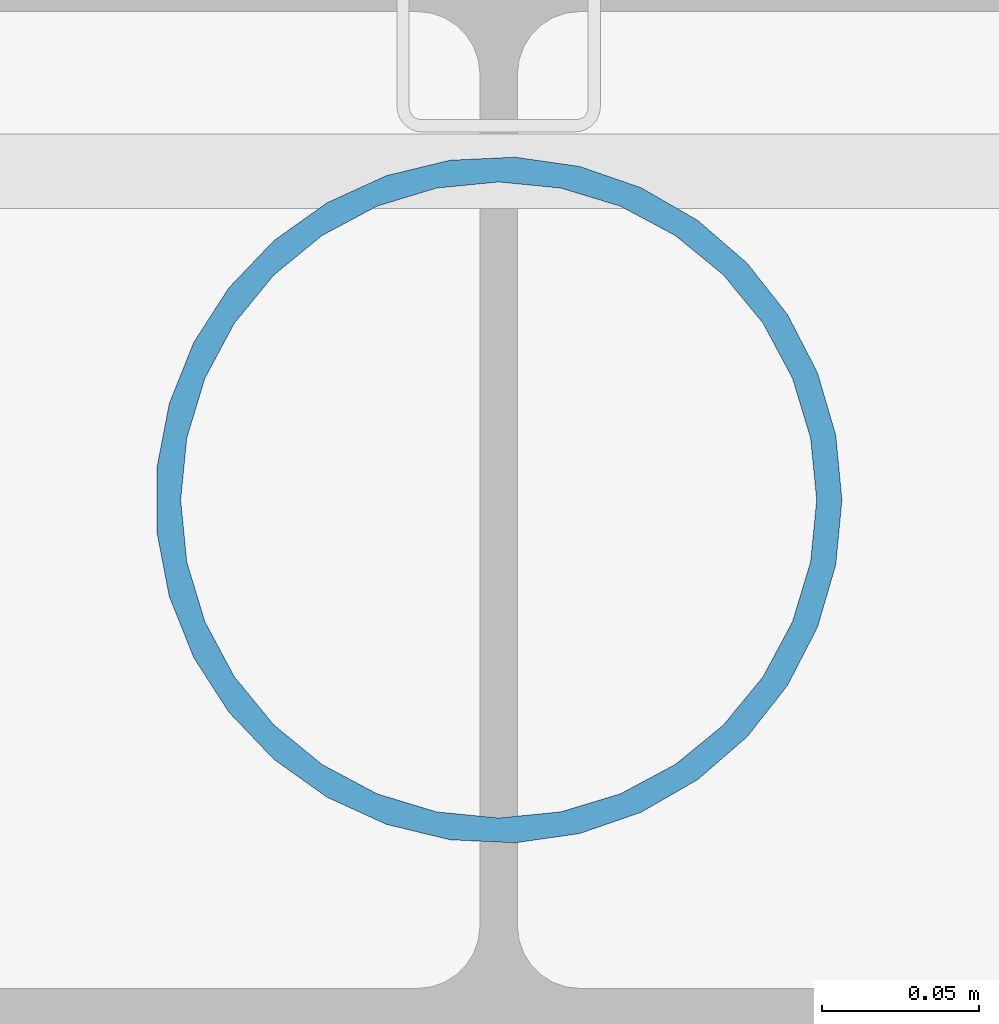
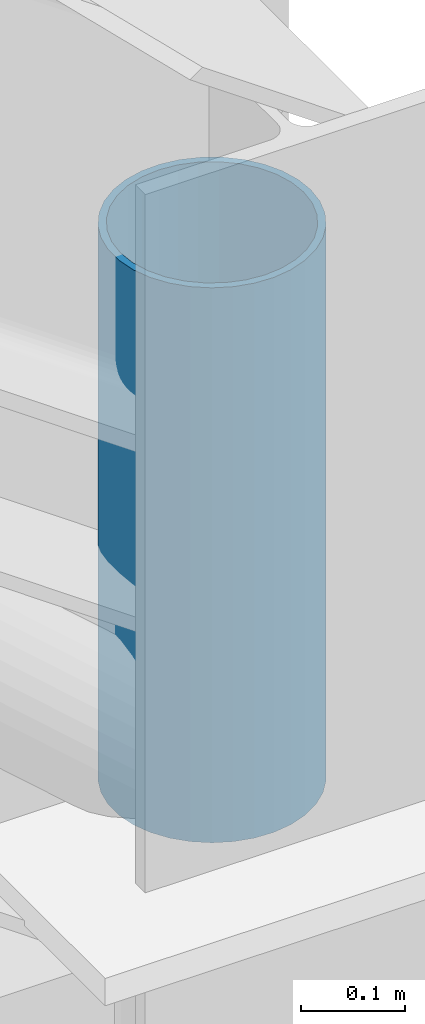
# One storey, part 85 of 121: 1 member.
"""IFC4 building model written with IfcOpenShell, lengths in metres."""

import ifcopenshell
import ifcopenshell.guid

model = None  # the IFC model being written
_history = None  # IfcOwnerHistory: only IFC2X3 demands one
_inside = {}  # id of a spatial element -> (the spatial element, [elements in it])
_under = {}  # id of a project, library or spatial element -> (it, [spatial elements below it])
_declared = {}  # id of a project -> (the project, [libraries it declares])
_typed = {}  # id of a type object -> (the type object, [elements of that type])
_made_of = {}  # id of a material, layer set ... -> (it, [elements and type objects made of it])


def new_model(schema):
    """Start an empty IFC model of exactly this schema.

    Asked for "IFC4X3", IfcOpenShell would pick the latest addendum, in which some entities
    have other attributes; the version numbers below select the first issue.
    IFC2X3 requires an IfcOwnerHistory on every rooted entity: one is made here for all.
    """
    global model, _history
    if schema == "IFC4X3":
        model = ifcopenshell.file(schema_version=(4, 3, 0, 0))
    else:
        model = ifcopenshell.file(schema=schema)
    _inside.clear()
    _under.clear()
    _declared.clear()
    _typed.clear()
    _made_of.clear()
    _history = None
    if model.schema == "IFC2X3":
        org = make("IfcOrganization", Name="unknown")
        user = make(
            "IfcPersonAndOrganization",
            ThePerson=make("IfcPerson", FamilyName="unknown"),
            TheOrganization=org,
        )
        app = make(
            "IfcApplication",
            ApplicationDeveloper=org,
            Version="unknown",
            ApplicationFullName="unknown",
            ApplicationIdentifier="unknown",
        )
        _history = make(
            "IfcOwnerHistory",
            OwningUser=user,
            OwningApplication=app,
            ChangeAction="ADDED",
            CreationDate=0,
        )
    return model


def make(cls, **values):
    """One entity of the class cls with the attributes given. An attribute that is None is left unset."""
    return model.create_entity(
        cls, **{name: value for name, value in values.items() if value is not None}
    )


def rooted(cls, **values):
    """An entity with a GlobalId (a new one), such as an element, a storey or a relation."""
    return make(cls, GlobalId=ifcopenshell.guid.new(), OwnerHistory=_history, **values)


def si_unit(unit_type, name, prefix=None):
    """IfcSIUnit, for example si_unit("LENGTHUNIT", "METRE", prefix="MILLI")."""
    return make("IfcSIUnit", UnitType=unit_type, Prefix=prefix, Name=name)


def assignment(units):
    """IfcUnitAssignment: the units of a project."""
    return None if units is None else make("IfcUnitAssignment", Units=units)


def point(xyz):
    """IfcCartesianPoint."""
    return None if xyz is None else make("IfcCartesianPoint", Coordinates=xyz)


def direction(xyz):
    """IfcDirection."""
    return None if xyz is None else make("IfcDirection", DirectionRatios=xyz)


def frame(location, z_axis=None, x_axis=None):
    """IfcAxis2Placement3D, a coordinate frame: its origin and axes. An axis left out is left unset."""
    return make(
        "IfcAxis2Placement3D",
        Location=point(location),
        Axis=direction(z_axis),
        RefDirection=direction(x_axis),
    )


def frame_2d(location, x_axis=None):
    """IfcAxis2Placement2D, a coordinate frame in the plane: its origin and x axis."""
    return make(
        "IfcAxis2Placement2D", Location=point(location), RefDirection=direction(x_axis)
    )


def origin():
    """The frame at (0, 0, 0) with its axes left unset."""
    return frame((0.0, 0.0, 0.0))


def origin_2d():
    """The frame at (0, 0) in the plane with its x axis left unset."""
    return frame_2d((0.0, 0.0))


def place(relative_to, where):
    """IfcLocalPlacement: puts the frame where relative to a parent placement (None: the world)."""
    return make(
        "IfcLocalPlacement", PlacementRelTo=relative_to, RelativePlacement=where
    )


def context(
    kind, dimensions, precision=None, world=None, true_north=None, identifier=None
):
    """IfcGeometricRepresentationContext, for example the 3D "Model" context."""
    return make(
        "IfcGeometricRepresentationContext",
        ContextIdentifier=identifier,
        ContextType=kind,
        CoordinateSpaceDimension=dimensions,
        Precision=precision,
        WorldCoordinateSystem=world,
        TrueNorth=true_north,
    )


def subcontext(parent, identifier, kind, view, scale=None):
    """IfcGeometricRepresentationSubContext, for example "Body" below "Model"."""
    return make(
        "IfcGeometricRepresentationSubContext",
        ContextIdentifier=identifier,
        ContextType=kind,
        ParentContext=parent,
        TargetScale=scale,
        TargetView=view,
    )


def project(units=None, contexts=None):
    """IfcProject with its units and contexts."""
    return rooted(
        "IfcProject",
        Name="project",
        RepresentationContexts=contexts,
        UnitsInContext=assignment(units),
    )


def spatial(cls, under=None, at=None, **own):
    """A site, building, storey or space (cls), placed at a placement, below another one or the project."""
    s = rooted(cls, ObjectPlacement=at, **own)
    if under is not None:
        _under.setdefault(under.id(), (under, []))[1].append(s)
    return s


def profile(cls, at=None, kind="AREA", **sizes):
    """A parametric profile (cls). Its sizes go by their IFC names, for example OverallWidth=200.0."""
    return make(cls, ProfileType=kind, Position=at, **sizes)


def hollow_circle(**sizes):
    """IfcCircleHollowProfileDef."""
    return profile("IfcCircleHollowProfileDef", **sizes)


def extrude(swept, where, along, depth):
    """IfcExtrudedAreaSolid: the profile swept, set in the frame where, extruded along a direction by depth."""
    return make(
        "IfcExtrudedAreaSolid",
        SweptArea=swept,
        Position=where,
        ExtrudedDirection=direction(along),
        Depth=depth,
    )


def shape(context_of_items, identifier, shape_type, items):
    """IfcShapeRepresentation: the items that make up one representation, for example the "Body"."""
    return make(
        "IfcShapeRepresentation",
        ContextOfItems=context_of_items,
        RepresentationIdentifier=identifier,
        RepresentationType=shape_type,
        Items=items,
    )


def material(Name=None, Category=None):
    """IfcMaterial."""
    return make("IfcMaterial", Name=Name, Category=Category)


def material_profile(
    of_material, cross_section, Name=None, Category=None, Priority=None
):
    """IfcMaterialProfile: a cross section and its material."""
    return make(
        "IfcMaterialProfile",
        Name=Name,
        Material=of_material,
        Profile=cross_section,
        Priority=Priority,
        Category=Category,
    )


def profile_set(profiles, Name=None, composite=None):
    """IfcMaterialProfileSet."""
    return make(
        "IfcMaterialProfileSet",
        Name=Name,
        MaterialProfiles=profiles,
        CompositeProfile=composite,
    )


def made_of(thing, what):
    """Note that an element or type object is made of a material, layer set ...; save() writes the relation."""
    if what is not None:
        _made_of.setdefault(what.id(), (what, []))[1].append(thing)
    return thing


def type_object(cls, material=None, **own):
    """A type object (cls), such as IfcWallType, which elements share."""
    return made_of(rooted(cls, **own), material)


def element(
    cls,
    number,
    at=None,
    inside=None,
    cuts=None,
    type_object=None,
    material=None,
    context=None,
    identifier="Body",
    shape_type=None,
    held_by="IfcProductDefinitionShape",
    body=None,
    shapes=None,
    **own,
):
    """One element of the class cls, such as IfcWall. Its Tag is "e" and its number.

    at: its placement. inside: the storey or other place that contains it. cuts: it is an
    opening in that element (IfcRelVoidsElement). A single representation is given by context,
    identifier, shape_type and body (its items); several are given by shapes. held_by: the class
    of the entity that holds the representations. save() writes the other relations.
    """
    e = rooted(cls, Tag="e%d" % number, ObjectPlacement=at, **own)
    if body is not None:
        shapes = [shape(context, identifier, shape_type, body)]
    if shapes is not None:
        e.Representation = make(held_by, Representations=shapes)
    if inside is not None:
        _inside.setdefault(inside.id(), (inside, []))[1].append(e)
    if cuts is not None:
        rooted(
            "IfcRelVoidsElement", RelatingBuildingElement=cuts, RelatedOpeningElement=e
        )
    if type_object is not None:
        _typed.setdefault(type_object.id(), (type_object, []))[1].append(e)
    return made_of(e, material)


def aggregate(whole, parts):
    """IfcRelAggregates: a whole, such as a stair, and the parts it consists of."""
    return rooted("IfcRelAggregates", RelatingObject=whole, RelatedObjects=parts)


def save(model, path):
    """Write the relations noted so far, then the file.

    IfcRelAggregates (storeys below a building ...), IfcRelContainedInSpatialStructure (elements
    in a storey), IfcRelDefinesByType, IfcRelAssociatesMaterial and IfcRelDeclares: one each for
    every whole, place, type object, material and project.
    """
    for whole, parts in _under.values():
        aggregate(whole, parts)
    for where, things in _inside.values():
        rooted(
            "IfcRelContainedInSpatialStructure",
            RelatedElements=things,
            RelatingStructure=where,
        )
    for kind, things in _typed.values():
        rooted("IfcRelDefinesByType", RelatedObjects=things, RelatingType=kind)
    for what, things in _made_of.values():
        rooted("IfcRelAssociatesMaterial", RelatedObjects=things, RelatingMaterial=what)
    for by, libraries in _declared.values():
        rooted("IfcRelDeclares", RelatingContext=by, RelatedDefinitions=libraries)
    model.write(path)


model = new_model("IFC4")

# Units and contexts
model_context = context("Model", 3, precision=1e-05, world=origin(), true_north=direction((0.0, 1.0)))
body_context = subcontext(model_context, "Body", "Model", "MODEL_VIEW")
ifc_project = project(units=[si_unit("LENGTHUNIT", "METRE"), si_unit("AREAUNIT", "SQUARE_METRE"), si_unit("VOLUMEUNIT", "CUBIC_METRE"), si_unit("PLANEANGLEUNIT", "RADIAN"), si_unit("MASSUNIT", "GRAM", prefix="KILO")], contexts=[model_context])

# Site, building, storey
site_placement = place(None, origin())
site = spatial("IfcSite", under=ifc_project, at=site_placement, CompositionType="ELEMENT")
building_placement = place(site_placement, origin())
building = spatial("IfcBuilding", under=site, at=building_placement, Name="Canglan Escarpment Cableway Terminal", CompositionType="ELEMENT")
storey_placement = place(building_placement, frame((0.0, 0.0, 24.60009765625)))
storey = spatial("IfcBuildingStorey", under=building, at=storey_placement, Name="L05", CompositionType="ELEMENT", Elevation=24.60009765625)

# Member
ifc_material = material(Name="Steel Q355B", Category="steel")
ifc_material_profile = material_profile(ifc_material, hollow_circle(Radius=0.109619140625, WallThickness=0.008056640625, at=origin_2d()), Name="CHS 219.1x8")
ifc_profile_set = profile_set([ifc_material_profile], Name="Steel Q355B")
member_type = type_object("IfcMemberType", Name="MB-ARCH-WEB-CHS219", PredefinedType="BRACE", material=ifc_profile_set)
member_placement = place(storey_placement, frame((166.39990234375, 34.0, 2.432373046875), z_axis=(0.0, 0.0, 1.0), x_axis=(1.0, 0.0, 0.0)))
element("IfcMember", 1, at=member_placement, inside=storey, type_object=member_type, Name="Vault ROOF TRUSS springing strut AR-WB1", PredefinedType="BRACE", context=body_context, shape_type="SweptSolid", body=[
    extrude(hollow_circle(Radius=0.109619140625, WallThickness=0.008056640625, at=origin_2d()), origin(), (0.0, 0.0, 1.0), 0.650146484375),
])

save(model, "model.ifc")
